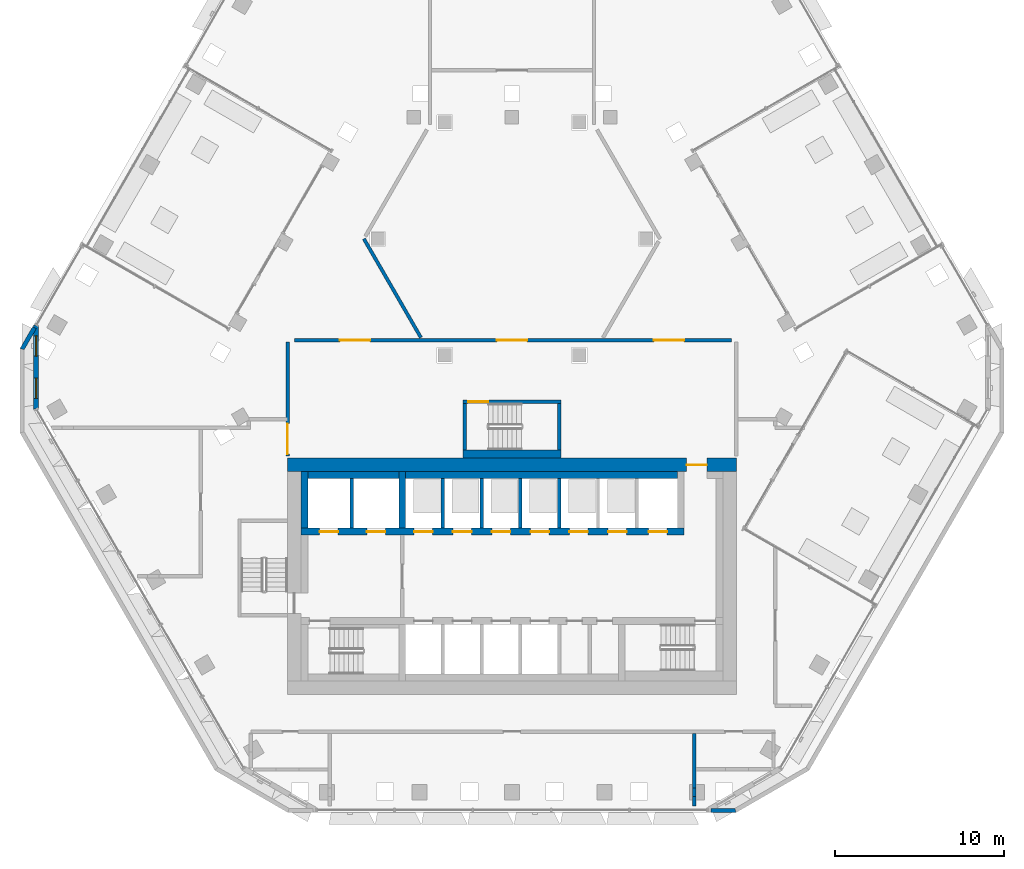
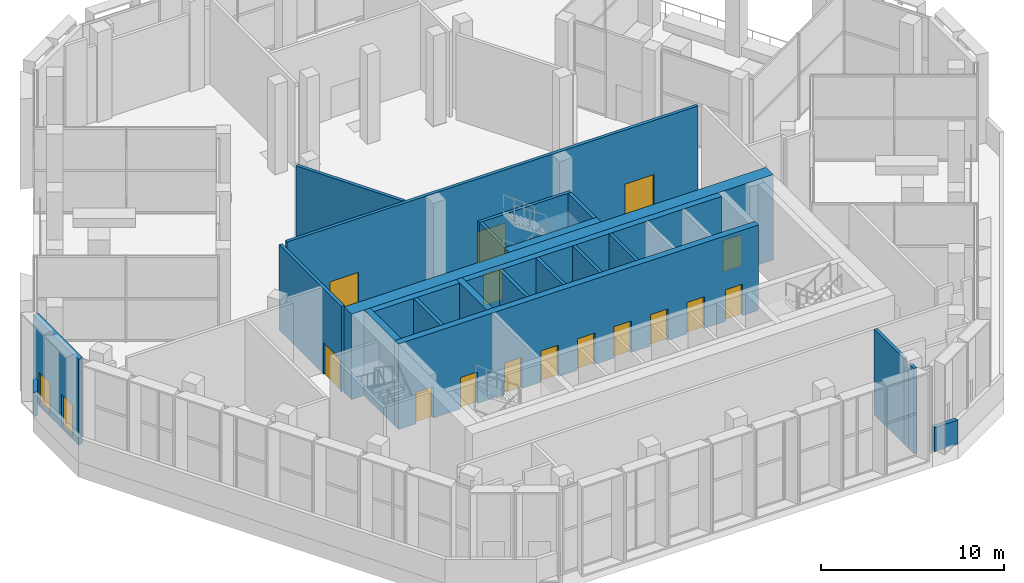
# One storey, part 12 of 27: 24 walls, 15 doors, 2 windows, 17 openings.
"""IFC4 building model written with IfcOpenShell, lengths in metres."""

from ifc_helpers import new_model, si_unit, direction, frame, frame_2d, origin, place, context, subcontext, project, spatial, polyline, rectangle, outline, extrude, material, layer, layer_set, type_object, element, fill, save


model = new_model("IFC4")

# Units and contexts
model_context = context("Model", 3, precision=1e-05, world=origin(), true_north=direction((0.0, 1.0)))
body_context = subcontext(model_context, "Body", "Model", "MODEL_VIEW")
ifc_project = project(units=[si_unit("LENGTHUNIT", "METRE"), si_unit("AREAUNIT", "SQUARE_METRE"), si_unit("VOLUMEUNIT", "CUBIC_METRE"), si_unit("PLANEANGLEUNIT", "RADIAN"), si_unit("MASSUNIT", "GRAM", prefix="KILO")], contexts=[model_context])

# Site, building, storey
site_placement = place(None, origin())
site = spatial("IfcSite", under=ifc_project, at=site_placement, CompositionType="ELEMENT")
building_placement = place(site_placement, origin())
building = spatial("IfcBuilding", under=site, at=building_placement, Name="Beryl Residences", CompositionType="ELEMENT")
storey_placement = place(building_placement, frame((0.0, 0.0, 111.60009765625)))
storey = spatial("IfcBuildingStorey", under=building, at=storey_placement, Name="L34", CompositionType="ELEMENT", Elevation=111.60009765625)

# Wall, openings, windows
ifc_material_1 = material(Name="Composite metal panel with mineral wool insulation")
ifc_layer_1 = layer(ifc_material_1, 0.300048828125)
ifc_layer_set_1 = layer_set([ifc_layer_1], Name="ES1 pale metal composite panel wall 300 mm")
wall_type_1 = type_object("IfcWallType", Name="ES1 pale metal composite panel wall 300 mm", PredefinedType="SOLIDWALL", material=ifc_layer_set_1)
wall_1_placement = place(storey_placement, frame((-28.197998046875, 2.89990234375, 0.0), z_axis=(0.0, 0.0, 1.0), x_axis=(0.0, -1.0, 0.0)))
wall_1 = element("IfcWall", 1, at=wall_1_placement, inside=storey, type_object=wall_type_1, Name="ES1 external wall L34 NW-SW", PredefinedType="SOLIDWALL", context=body_context, shape_type="SweptSolid", body=[
    extrude(outline(polyline([(0.0, -0.14990234375), (5.0, -0.14990234375), (4.919677734375, 0.14990234375), (0.080322265625, 0.14990234375), (0.0, -0.14990234375)])), origin(), (0.0, 0.0, 1.0), 5.699951171875),
])
opening_1_placement = place(wall_1_placement, frame((0.64990234375, 0.0, 0.14990234375)))
opening_1 = element("IfcOpeningElement", 2, at=opening_1_placement, cuts=wall_1, Name="Opening W2", PredefinedType="OPENING", context=body_context, shape_type="SweptSolid", body=[
    extrude(rectangle(XDim=1.199951171875, YDim=2.10009765625, at=frame_2d((0.60009765625, 1.050048828125))), frame((0.0, 0.159912109375, 0.0), z_axis=(0.0, -1.0, 0.0), x_axis=(1.0, 0.0, 0.0)), (0.0, 0.0, 1.0), 0.320068359375),
])
opening_2_placement = place(wall_1_placement, frame((3.14990234375, 0.0, 0.14990234375)))
opening_2 = element("IfcOpeningElement", 3, at=opening_2_placement, cuts=wall_1, Name="Opening W2", PredefinedType="OPENING", context=body_context, shape_type="SweptSolid", body=[
    extrude(rectangle(XDim=1.199951171875, YDim=2.10009765625, at=frame_2d((0.60009765625, 1.050048828125))), frame((0.0, 0.159912109375, 0.0), z_axis=(0.0, -1.0, 0.0), x_axis=(1.0, 0.0, 0.0)), (0.0, 0.0, 1.0), 0.320068359375),
])
ifc_material_2 = material(Name="Aluminium and clear glass", Category="aluminium")
window_type = type_object("IfcWindowType", Name="W2 chamfer window 1200 x 2100 mm", PartitioningType="SINGLE_PANEL", PredefinedType="WINDOW", material=ifc_material_2)
window_1_placement = place(opening_1_placement, origin())
window_1 = element("IfcWindow", 4, at=window_1_placement, inside=storey, type_object=window_type, Name="W2 window L34 NW-SW 1", OverallHeight=2.10009765625, OverallWidth=1.199951171875, PartitioningType="SINGLE_PANEL", PredefinedType="WINDOW", context=body_context, shape_type="SweptSolid", body=[
    extrude(rectangle(XDim=1.199951171875, YDim=2.10009765625, at=frame_2d((0.60009765625, 1.050048828125))), frame((0.0, 0.030029296875, 0.0), z_axis=(0.0, -1.0, 0.0), x_axis=(1.0, 0.0, 0.0)), (0.0, 0.0, 1.0), 0.06005859375),
])
fill(opening_1, window_1)
window_2_placement = place(opening_2_placement, origin())
window_2 = element("IfcWindow", 5, at=window_2_placement, inside=storey, type_object=window_type, Name="W2 window L34 NW-SW 2", OverallHeight=2.10009765625, OverallWidth=1.199951171875, PartitioningType="SINGLE_PANEL", PredefinedType="WINDOW", context=body_context, shape_type="SweptSolid", body=[
    extrude(rectangle(XDim=1.199951171875, YDim=2.10009765625, at=frame_2d((0.60009765625, 1.050048828125))), frame((0.0, 0.030029296875, 0.0), z_axis=(0.0, -1.0, 0.0), x_axis=(1.0, 0.0, 0.0)), (0.0, 0.0, 1.0), 0.06005859375),
])
fill(opening_2, window_2)

# Walls
ifc_material_3 = material(Name="Precast concrete C40/50", Category="concrete")
ifc_layer_2 = layer(ifc_material_3, 0.25)
ifc_layer_set_2 = layer_set([ifc_layer_2], Name="PA1 roof parapet 250 mm")
wall_type_2 = type_object("IfcWallType", Name="PA1 roof parapet 250 mm", PredefinedType="PARAPET", material=ifc_layer_set_2)
wall_2_placement = place(storey_placement, frame((-29.049072265625, 1.43798828125, 0.0), z_axis=(0.0, 0.0, 1.0), x_axis=(0.500272171574, 0.865868208418, 0.0)))
element("IfcWall", 6, at=wall_2_placement, inside=storey, type_object=wall_type_2, Name="PA1 parapet L34 strip 5", PredefinedType="PARAPET", context=body_context, shape_type="SweptSolid", body=[
    extrude(outline(polyline([(0.06689453125, -0.125), (1.499267578125, -0.125), (1.499267578125, 0.125), (0.0, 0.125), (0.06689453125, -0.125)])), origin(), (0.0, 0.0, 1.0), 1.599853515625),
])
wall_3_placement = place(storey_placement, frame((13.280029296875, -25.875, 0.0), z_axis=(0.0, 0.0, 1.0), x_axis=(-1.0, 0.0, 0.0)))
element("IfcWall", 7, at=wall_3_placement, inside=storey, type_object=wall_type_2, Name="PA1 parapet L34 strip 5", PredefinedType="PARAPET", context=body_context, shape_type="SweptSolid", body=[
    extrude(outline(polyline([(0.06689453125, -0.125), (1.4990234375, -0.125), (1.4990234375, 0.125), (0.0, 0.125), (0.06689453125, -0.125)])), origin(), (0.0, 0.0, 1.0), 1.599853515625),
])

# Wall, openings, doors
ifc_material_4 = material(Name="Double stud gypsum board wall")
ifc_layer_3 = layer(ifc_material_4, 0.199951171875)
ifc_layer_set_3 = layer_set([ifc_layer_3], Name="PT4 corridor wall 200 mm double stud")
wall_type_3 = type_object("IfcWallType", Name="PT4 corridor wall 200 mm double stud", PredefinedType="PARTITIONING", material=ifc_layer_set_3)
wall_4_placement = place(storey_placement, frame((-12.89990234375, 2.0, 0.0), z_axis=(0.0, 0.0, 1.0), x_axis=(1.0, 0.0, 0.0)))
wall_4 = element("IfcWall", 8, at=wall_4_placement, inside=storey, type_object=wall_type_3, Name="Wall PT4 L34 014", PredefinedType="PARTITIONING", context=body_context, shape_type="SweptSolid", body=[
    extrude(rectangle(XDim=25.89990234375, YDim=0.199951171875, at=frame_2d((12.949951171875, 0.0))), origin(), (0.0, 0.0, 1.0), 5.699951171875),
])
opening_3_placement = place(wall_4_placement, frame((2.696044921875, 0.0, 0.0)))
opening_3 = element("IfcOpeningElement", 9, at=opening_3_placement, cuts=wall_4, Name="Opening L34-01", PredefinedType="OPENING", context=body_context, shape_type="SweptSolid", body=[
    extrude(rectangle(XDim=1.800048828125, YDim=2.10009765625, at=frame_2d((0.89990234375, 1.050048828125))), frame((0.0, 0.10986328125, 0.0), z_axis=(0.0, -1.0, 0.0), x_axis=(1.0, 0.0, 0.0)), (0.0, 0.0, 1.0), 0.219970703125),
])
opening_4_placement = place(wall_4_placement, frame((21.303955078125, 0.0, 0.0)))
opening_4 = element("IfcOpeningElement", 10, at=opening_4_placement, cuts=wall_4, Name="Opening L34-02", PredefinedType="OPENING", context=body_context, shape_type="SweptSolid", body=[
    extrude(rectangle(XDim=1.800048828125, YDim=2.10009765625, at=frame_2d((0.89990234375, 1.050048828125))), frame((0.0, 0.10986328125, 0.0), z_axis=(0.0, -1.0, 0.0), x_axis=(1.0, 0.0, 0.0)), (0.0, 0.0, 1.0), 0.219970703125),
])
opening_5_placement = place(wall_4_placement, frame((12.0, 0.0, 0.0)))
opening_5 = element("IfcOpeningElement", 11, at=opening_5_placement, cuts=wall_4, Name="Opening L34-09", PredefinedType="OPENING", context=body_context, shape_type="SweptSolid", body=[
    extrude(rectangle(XDim=1.800048828125, YDim=2.10009765625, at=frame_2d((0.89990234375, 1.050048828125))), frame((0.0, 0.10986328125, 0.0), z_axis=(0.0, -1.0, 0.0), x_axis=(1.0, 0.0, 0.0)), (0.0, 0.0, 1.0), 0.219970703125),
])
ifc_material_5 = material(Name="Timber door leaf", Category="wood")
door_type_1 = type_object("IfcDoorType", Name="D20 corridor door 1800 x 2100 mm", OperationType="DOUBLE_DOOR_SINGLE_SWING", PredefinedType="DOOR", material=ifc_material_5)
door_1_placement = place(opening_3_placement, origin())
door_1 = element("IfcDoor", 12, at=door_1_placement, inside=storey, type_object=door_type_1, Name="Door L34-01 L34 001", OperationType="DOUBLE_DOOR_SINGLE_SWING", OverallHeight=2.10009765625, OverallWidth=1.800048828125, PredefinedType="DOOR", context=body_context, shape_type="SweptSolid", body=[
    extrude(rectangle(XDim=1.800048828125, YDim=2.10009765625, at=frame_2d((0.89990234375, 1.050048828125))), frame((0.0, 0.02490234375, 0.0), z_axis=(0.0, -1.0, 0.0), x_axis=(1.0, 0.0, 0.0)), (0.0, 0.0, 1.0), 0.050048828125),
])
fill(opening_3, door_1)
door_2_placement = place(opening_4_placement, origin())
door_2 = element("IfcDoor", 13, at=door_2_placement, inside=storey, type_object=door_type_1, Name="Door L34-02 L34 001", OperationType="DOUBLE_DOOR_SINGLE_SWING", OverallHeight=2.10009765625, OverallWidth=1.800048828125, PredefinedType="DOOR", context=body_context, shape_type="SweptSolid", body=[
    extrude(rectangle(XDim=1.800048828125, YDim=2.10009765625, at=frame_2d((0.89990234375, 1.050048828125))), frame((0.0, 0.02490234375, 0.0), z_axis=(0.0, -1.0, 0.0), x_axis=(1.0, 0.0, 0.0)), (0.0, 0.0, 1.0), 0.050048828125),
])
fill(opening_4, door_2)
door_3_placement = place(opening_5_placement, origin())
door_3 = element("IfcDoor", 14, at=door_3_placement, inside=storey, type_object=door_type_1, Name="Door L34-09 L34 001", OperationType="DOUBLE_DOOR_SINGLE_SWING", OverallHeight=2.10009765625, OverallWidth=1.800048828125, PredefinedType="DOOR", context=body_context, shape_type="SweptSolid", body=[
    extrude(rectangle(XDim=1.800048828125, YDim=2.10009765625, at=frame_2d((0.89990234375, 1.050048828125))), frame((0.0, 0.02490234375, 0.0), z_axis=(0.0, -1.0, 0.0), x_axis=(1.0, 0.0, 0.0)), (0.0, 0.0, 1.0), 0.050048828125),
])
fill(opening_5, door_3)

# Wall, opening, door
wall_5_placement = place(storey_placement, frame((-13.300048828125, -4.8798828125, 0.0), z_axis=(0.0, 0.0, 1.0), x_axis=(0.0, 1.0, 0.0)))
wall_5 = element("IfcWall", 15, at=wall_5_placement, inside=storey, type_object=wall_type_3, Name="Wall PT4 L34 028", PredefinedType="PARTITIONING", context=body_context, shape_type="SweptSolid", body=[
    extrude(rectangle(XDim=6.77978515625, YDim=0.199951171875, at=frame_2d((3.389892578125, 0.0))), origin(), (0.0, 0.0, 1.0), 5.699951171875),
])
opening_6_placement = place(wall_5_placement, frame((0.1279296875, 0.0, 0.0)))
opening_6 = element("IfcOpeningElement", 16, at=opening_6_placement, cuts=wall_5, Name="Opening L34-10", PredefinedType="OPENING", context=body_context, shape_type="SweptSolid", body=[
    extrude(rectangle(XDim=1.800048828125, YDim=2.10009765625, at=frame_2d((0.89990234375, 1.050048828125))), frame((0.0, 0.10986328125, 0.0), z_axis=(0.0, -1.0, 0.0), x_axis=(1.0, 0.0, 0.0)), (0.0, 0.0, 1.0), 0.219970703125),
])
door_4_placement = place(opening_6_placement, origin())
door_4 = element("IfcDoor", 17, at=door_4_placement, inside=storey, type_object=door_type_1, Name="Door L34-10 L34 001", OperationType="DOUBLE_DOOR_SINGLE_SWING", OverallHeight=2.10009765625, OverallWidth=1.800048828125, PredefinedType="DOOR", context=body_context, shape_type="SweptSolid", body=[
    extrude(rectangle(XDim=1.800048828125, YDim=2.10009765625, at=frame_2d((0.89990234375, 1.050048828125))), frame((0.0, 0.02490234375, 0.0), z_axis=(0.0, -1.0, 0.0), x_axis=(1.0, 0.0, 0.0)), (0.0, 0.0, 1.0), 0.050048828125),
])
fill(opening_6, door_4)

# Walls
wall_6_placement = place(storey_placement, frame((10.800048828125, -25.6201171875, 0.0), z_axis=(0.0, 0.0, 1.0), x_axis=(0.0, 1.0, 0.0)))
element("IfcWall", 18, at=wall_6_placement, inside=storey, type_object=wall_type_3, Name="Wall PT4 L34 036", PredefinedType="PARTITIONING", context=body_context, shape_type="SweptSolid", body=[
    extrude(rectangle(XDim=0.570068359375, YDim=0.199951171875, at=frame_2d((0.28515625, 0.0))), origin(), (0.0, 0.0, 1.0), 5.699951171875),
])
wall_7_placement = place(storey_placement, frame((10.800048828125, -25.050048828125, 0.0), z_axis=(0.0, 0.0, 1.0), x_axis=(0.0, 1.0, 0.0)))
element("IfcWall", 19, at=wall_7_placement, inside=storey, type_object=wall_type_3, Name="Wall PT4 L34 037", PredefinedType="PARTITIONING", context=body_context, shape_type="SweptSolid", body=[
    extrude(rectangle(XDim=0.5, YDim=0.199951171875, at=frame_2d((0.25, 0.0))), origin(), (0.0, 0.0, 1.0), 5.06982421875),
])
wall_8_placement = place(storey_placement, frame((10.800048828125, -24.550048828125, 0.0), z_axis=(0.0, 0.0, 1.0), x_axis=(0.0, 1.0, 0.0)))
element("IfcWall", 20, at=wall_8_placement, inside=storey, type_object=wall_type_3, Name="Wall PT4 L34 038", PredefinedType="PARTITIONING", context=body_context, shape_type="SweptSolid", body=[
    extrude(rectangle(XDim=3.25, YDim=0.199951171875, at=frame_2d((1.625, 0.0))), origin(), (0.0, 0.0, 1.0), 5.699951171875),
])
wall_9_placement = place(storey_placement, frame((-8.77587890625, 8.0, 0.0), z_axis=(0.0, 0.0, 1.0), x_axis=(0.500024767483, -0.866011103799, 0.0)))
element("IfcWall", 21, at=wall_9_placement, inside=storey, type_object=wall_type_3, Name="Wall PT4 L34 044", PredefinedType="PARTITIONING", context=body_context, shape_type="SweptSolid", body=[
    extrude(rectangle(XDim=6.757568359375, YDim=0.199951171875, at=frame_2d((3.37890625, 0.0))), origin(), (0.0, 0.0, 1.0), 5.699951171875),
])

# Wall, opening, door
ifc_material_6 = material(Name="Concrete C40/50", Category="concrete")
ifc_layer_4 = layer(ifc_material_6, 0.199951171875)
ifc_layer_set_4 = layer_set([ifc_layer_4], Name="PT5 stair enclosure wall 200 mm reinforced concrete C40/50")
wall_type_4 = type_object("IfcWallType", Name="PT5 stair enclosure wall 200 mm reinforced concrete C40/50", PredefinedType="SOLIDWALL", material=ifc_layer_set_4)
wall_10_placement = place(storey_placement, frame((-2.89990234375, -1.64990234375, 0.0), z_axis=(0.0, 0.0, 1.0), x_axis=(1.0, 0.0, 0.0)))
wall_10 = element("IfcWall", 22, at=wall_10_placement, inside=storey, type_object=wall_type_4, Name="Wall PT5 L34 001", PredefinedType="SOLIDWALL", context=body_context, shape_type="SweptSolid", body=[
    extrude(rectangle(XDim=5.7998046875, YDim=0.199951171875, at=frame_2d((2.89990234375, 0.0))), origin(), (0.0, 0.0, 1.0), 5.699951171875),
])
opening_7_placement = place(wall_10_placement, frame((0.300048828125, 0.0, 0.0)))
opening_7 = element("IfcOpeningElement", 23, at=opening_7_placement, cuts=wall_10, Name="Opening DS04", PredefinedType="OPENING", context=body_context, shape_type="SweptSolid", body=[
    extrude(rectangle(XDim=1.199951171875, YDim=2.10009765625, at=frame_2d((0.60009765625, 1.050048828125))), frame((0.0, 0.10986328125, 0.0), z_axis=(0.0, -1.0, 0.0), x_axis=(1.0, 0.0, 0.0)), (0.0, 0.0, 1.0), 0.219970703125),
])
ifc_material_7 = material(Name="Steel door leaf in steel frame", Category="steel")
door_type_2 = type_object("IfcDoorType", Name="D4 stair door 1200 x 2100 mm", OperationType="SINGLE_SWING_LEFT", PredefinedType="DOOR", material=ifc_material_7)
door_5_placement = place(opening_7_placement, origin())
door_5 = element("IfcDoor", 24, at=door_5_placement, inside=storey, type_object=door_type_2, Name="Door DS04 L34 001", OperationType="SINGLE_SWING_LEFT", OverallHeight=2.10009765625, OverallWidth=1.199951171875, PredefinedType="DOOR", context=body_context, shape_type="SweptSolid", body=[
    extrude(rectangle(XDim=1.199951171875, YDim=2.10009765625, at=frame_2d((0.60009765625, 1.050048828125))), frame((0.0, 0.02490234375, 0.0), z_axis=(0.0, -1.0, 0.0), x_axis=(1.0, 0.0, 0.0)), (0.0, 0.0, 1.0), 0.050048828125),
])
fill(opening_7, door_5)

# Walls
for number, where, z_axis, x_axis, name in (
    (25, (-2.800048828125, -4.5, 0.0), (0.0, 0.0, 1.0), (0.0, 1.0, 0.0), "Wall PT5 L34 002"),
    (26, (2.800048828125, -4.5, 0.0), (0.0, 0.0, 1.0), (0.0, 1.0, 0.0), "Wall PT5 L34 003"),
):
    element("IfcWall", number, at=place(storey_placement, frame(where, z_axis=z_axis, x_axis=x_axis)), inside=storey, type_object=wall_type_4, Name=name, PredefinedType="SOLIDWALL", context=body_context, shape_type="SweptSolid", body=[
        extrude(rectangle(XDim=2.75, YDim=0.199951171875, at=frame_2d((1.375, 0.0))), origin(), (0.0, 0.0, 1.0), 5.699951171875),
    ])
ifc_material_8 = material(Name="Concrete C40/50", Category="concrete")
ifc_layer_5 = layer(ifc_material_8, 0.5)
ifc_layer_set_5 = layer_set([ifc_layer_5], Name="PT5-500 stair enclosure wall 500 mm")
wall_type_5 = type_object("IfcWallType", Name="PT5-500 stair enclosure wall 500 mm", PredefinedType="SOLIDWALL", material=ifc_layer_set_5)
wall_11_placement = place(storey_placement, frame((-2.89990234375, -4.75, 0.0), z_axis=(0.0, 0.0, 1.0), x_axis=(1.0, 0.0, 0.0)))
element("IfcWall", 27, at=wall_11_placement, inside=storey, type_object=wall_type_5, Name="Wall PT5-500 L34 001", PredefinedType="SOLIDWALL", context=body_context, shape_type="SweptSolid", body=[
    extrude(rectangle(XDim=5.7998046875, YDim=0.5, at=frame_2d((2.89990234375, 0.0))), origin(), (0.0, 0.0, 1.0), 5.699951171875),
])
ifc_material_9 = material(Name="Concrete C40/50", Category="concrete")
ifc_layer_6 = layer(ifc_material_9, 0.199951171875)
ifc_layer_set_6 = layer_set([ifc_layer_6], Name="PT6 lift shaft wall 200 mm reinforced concrete C40/50")
wall_type_6 = type_object("IfcWallType", Name="PT6 lift shaft wall 200 mm reinforced concrete C40/50", PredefinedType="SOLIDWALL", material=ifc_layer_set_6)
for number, where, z_axis, x_axis, name in (
    (28, (-9.5, -9.14990234375, 0.0), (0.0, 0.0, 1.0), (0.0, 1.0, 0.0), "Lift shaft wall 10"),
    (29, (-4.10009765625, -9.14990234375, 0.0), (0.0, 0.0, 1.0), (0.0, 1.0, 0.0), "Lift shaft wall 15"),
    (30, (-1.800048828125, -9.14990234375, 0.0), (0.0, 0.0, 1.0), (0.0, 1.0, 0.0), "Lift shaft wall 17"),
    (31, (0.5, -9.14990234375, 0.0), (0.0, 0.0, 1.0), (0.0, 1.0, 0.0), "Lift shaft wall 19"),
    (32, (2.800048828125, -9.14990234375, 0.0), (0.0, 0.0, 1.0), (0.0, 1.0, 0.0), "Lift shaft wall 21"),
):
    element("IfcWall", number, at=place(storey_placement, frame(where, z_axis=z_axis, x_axis=x_axis)), inside=storey, type_object=wall_type_6, Name=name, PredefinedType="SOLIDWALL", context=body_context, shape_type="SweptSolid", body=[
        extrude(rectangle(XDim=2.949951171875, YDim=0.199951171875, at=frame_2d((1.47509765625, 0.0))), origin(), (0.0, 0.0, 1.0), 5.699951171875),
    ])
ifc_material_10 = material(Name="Concrete C40/50", Category="concrete")
ifc_layer_7 = layer(ifc_material_10, 0.39990234375)
ifc_layer_set_7 = layer_set([ifc_layer_7], Name="PT6-400 lift shaft wall 400 mm")
wall_type_7 = type_object("IfcWallType", Name="PT6-400 lift shaft wall 400 mm", PredefinedType="SOLIDWALL", material=ifc_layer_set_7)
wall_12_placement = place(storey_placement, frame((-12.300048828125, -9.14990234375, 0.0), z_axis=(0.0, 0.0, 1.0), x_axis=(0.0, 1.0, 0.0)))
element("IfcWall", 33, at=wall_12_placement, inside=storey, type_object=wall_type_7, Name="Lift shaft wall 06", PredefinedType="SOLIDWALL", context=body_context, shape_type="SweptSolid", body=[
    extrude(rectangle(XDim=3.349853515625, YDim=0.39990234375, at=frame_2d((1.6748046875, 0.0))), origin(), (0.0, 0.0, 1.0), 5.699951171875),
])
wall_13_placement = place(storey_placement, frame((-12.10009765625, -6.0, 0.0), z_axis=(0.0, 0.0, 1.0), x_axis=(1.0, 0.0, 0.0)))
element("IfcWall", 34, at=wall_13_placement, inside=storey, type_object=wall_type_7, Name="Lift shaft wall 08", PredefinedType="SOLIDWALL", context=body_context, shape_type="SweptSolid", body=[
    extrude(rectangle(XDim=5.400146484375, YDim=0.39990234375, at=frame_2d((2.7001953125, 0.0))), origin(), (0.0, 0.0, 1.0), 5.699951171875),
])
wall_14_placement = place(storey_placement, frame((-6.300048828125, -6.0, 0.0), z_axis=(0.0, 0.0, 1.0), x_axis=(1.0, 0.0, 0.0)))
element("IfcWall", 35, at=wall_14_placement, inside=storey, type_object=wall_type_7, Name="Lift shaft wall 13", PredefinedType="SOLIDWALL", context=body_context, shape_type="SweptSolid", body=[
    extrude(rectangle(XDim=16.10009765625, YDim=0.39990234375, at=frame_2d((8.050048828125, 0.0))), origin(), (0.0, 0.0, 1.0), 5.699951171875),
])

# Wall, opening, door
ifc_material_11 = material(Name="Concrete C60/75", Category="concrete")
ifc_layer_8 = layer(ifc_material_11, 0.800048828125)
ifc_layer_set_8 = layer_set([ifc_layer_8], Name="SW3 core outer wall 800 mm C60/75")
wall_type_8 = type_object("IfcWallType", Name="SW3 core outer wall 800 mm C60/75", PredefinedType="SHEAR", material=ifc_layer_set_8)
wall_15_placement = place(storey_placement, frame((-13.300048828125, -5.39990234375, 0.0), z_axis=(0.0, 0.0, 1.0), x_axis=(1.0, 0.0, 0.0)))
wall_15 = element("IfcWall", 36, at=wall_15_placement, inside=storey, type_object=wall_type_8, Name="Core wall N L34", PredefinedType="SHEAR", context=body_context, shape_type="SweptSolid", body=[
    extrude(rectangle(XDim=26.60009765625, YDim=0.800048828125, at=frame_2d((13.300048828125, 0.0))), origin(), (0.0, 0.0, 1.0), 5.699951171875),
])
opening_8_placement = place(wall_15_placement, frame((23.64990234375, 0.0, 0.0)))
opening_8 = element("IfcOpeningElement", 37, at=opening_8_placement, cuts=wall_15, Name="Opening FD-NORTH", PredefinedType="OPENING", context=body_context, shape_type="SweptSolid", body=[
    extrude(rectangle(XDim=1.199951171875, YDim=2.10009765625, at=frame_2d((0.60009765625, 1.050048828125))), frame((0.0, 0.409912109375, 0.0), z_axis=(0.0, -1.0, 0.0), x_axis=(1.0, 0.0, 0.0)), (0.0, 0.0, 1.0), 0.820068359375),
])
ifc_material_12 = material(Name="Steel door leaf in steel frame", Category="steel")
door_type_3 = type_object("IfcDoorType", Name="D22 lobby door 1200 x 2100 mm", OperationType="DOUBLE_DOOR_SINGLE_SWING", PredefinedType="DOOR", material=ifc_material_12)
door_6_placement = place(opening_8_placement, origin())
door_6 = element("IfcDoor", 38, at=door_6_placement, inside=storey, type_object=door_type_3, Name="Door FD-NORTH L34 001", OperationType="DOUBLE_DOOR_SINGLE_SWING", OverallHeight=2.10009765625, OverallWidth=1.199951171875, PredefinedType="DOOR", context=body_context, shape_type="SweptSolid", body=[
    extrude(rectangle(XDim=1.199951171875, YDim=2.10009765625, at=frame_2d((0.60009765625, 1.050048828125))), frame((0.0, 0.02490234375, 0.0), z_axis=(0.0, -1.0, 0.0), x_axis=(1.0, 0.0, 0.0)), (0.0, 0.0, 1.0), 0.050048828125),
])
fill(opening_8, door_6)

# Wall, openings, doors
ifc_material_13 = material(Name="Concrete C60/75", Category="concrete")
ifc_layer_9 = layer(ifc_material_13, 0.39990234375)
ifc_layer_set_9 = layer_set([ifc_layer_9], Name="SW8 core internal wall 400 mm C60/75")
wall_type_9 = type_object("IfcWallType", Name="SW8 core internal wall 400 mm C60/75", PredefinedType="SHEAR", material=ifc_layer_set_9)
wall_16_placement = place(storey_placement, frame((-12.5, -9.35009765625, 0.0), z_axis=(0.0, 0.0, 1.0), x_axis=(1.0, 0.0, 0.0)))
wall_16 = element("IfcWall", 39, at=wall_16_placement, inside=storey, type_object=wall_type_9, Name="Core wall SP2 L34", PredefinedType="SHEAR", context=body_context, shape_type="SweptSolid", body=[
    extrude(rectangle(XDim=22.699951171875, YDim=0.39990234375, at=frame_2d((11.35009765625, 0.0))), origin(), (0.0, 0.0, 1.0), 5.699951171875),
])
opening_9_placement = place(wall_16_placement, frame((1.10009765625, 0.0, 0.0)))
opening_9 = element("IfcOpeningElement", 40, at=opening_9_placement, cuts=wall_16, Name="Opening LD-FF1", PredefinedType="OPENING", context=body_context, shape_type="SweptSolid", body=[
    extrude(rectangle(XDim=1.10009765625, YDim=2.10009765625, at=frame_2d((0.550048828125, 1.050048828125))), frame((0.0, 0.2099609375, 0.0), z_axis=(0.0, -1.0, 0.0), x_axis=(1.0, 0.0, 0.0)), (0.0, 0.0, 1.0), 0.419921875),
])
opening_10_placement = place(wall_16_placement, frame((3.89990234375, 0.0, 0.0)))
opening_10 = element("IfcOpeningElement", 41, at=opening_10_placement, cuts=wall_16, Name="Opening LD-FF2", PredefinedType="OPENING", context=body_context, shape_type="SweptSolid", body=[
    extrude(rectangle(XDim=1.10009765625, YDim=2.10009765625, at=frame_2d((0.550048828125, 1.050048828125))), frame((0.0, 0.2099609375, 0.0), z_axis=(0.0, -1.0, 0.0), x_axis=(1.0, 0.0, 0.0)), (0.0, 0.0, 1.0), 0.419921875),
])
opening_11_placement = place(wall_16_placement, frame((6.699951171875, 0.0, 0.0)))
opening_11 = element("IfcOpeningElement", 42, at=opening_11_placement, cuts=wall_16, Name="Opening LD-HR1", PredefinedType="OPENING", context=body_context, shape_type="SweptSolid", body=[
    extrude(rectangle(XDim=1.10009765625, YDim=2.10009765625, at=frame_2d((0.550048828125, 1.050048828125))), frame((0.0, 0.2099609375, 0.0), z_axis=(0.0, -1.0, 0.0), x_axis=(1.0, 0.0, 0.0)), (0.0, 0.0, 1.0), 0.419921875),
])
opening_12_placement = place(wall_16_placement, frame((9.0, 0.0, 0.0)))
opening_12 = element("IfcOpeningElement", 43, at=opening_12_placement, cuts=wall_16, Name="Opening LD-HR2", PredefinedType="OPENING", context=body_context, shape_type="SweptSolid", body=[
    extrude(rectangle(XDim=1.10009765625, YDim=2.10009765625, at=frame_2d((0.550048828125, 1.050048828125))), frame((0.0, 0.2099609375, 0.0), z_axis=(0.0, -1.0, 0.0), x_axis=(1.0, 0.0, 0.0)), (0.0, 0.0, 1.0), 0.419921875),
])
opening_13_placement = place(wall_16_placement, frame((11.300048828125, 0.0, 0.0)))
opening_13 = element("IfcOpeningElement", 44, at=opening_13_placement, cuts=wall_16, Name="Opening LD-HR3", PredefinedType="OPENING", context=body_context, shape_type="SweptSolid", body=[
    extrude(rectangle(XDim=1.10009765625, YDim=2.10009765625, at=frame_2d((0.550048828125, 1.050048828125))), frame((0.0, 0.2099609375, 0.0), z_axis=(0.0, -1.0, 0.0), x_axis=(1.0, 0.0, 0.0)), (0.0, 0.0, 1.0), 0.419921875),
])
opening_14_placement = place(wall_16_placement, frame((13.60009765625, 0.0, 0.0)))
opening_14 = element("IfcOpeningElement", 45, at=opening_14_placement, cuts=wall_16, Name="Opening LD-HR4", PredefinedType="OPENING", context=body_context, shape_type="SweptSolid", body=[
    extrude(rectangle(XDim=1.10009765625, YDim=2.10009765625, at=frame_2d((0.550048828125, 1.050048828125))), frame((0.0, 0.2099609375, 0.0), z_axis=(0.0, -1.0, 0.0), x_axis=(1.0, 0.0, 0.0)), (0.0, 0.0, 1.0), 0.419921875),
])
opening_15_placement = place(wall_16_placement, frame((15.89990234375, 0.0, 0.0)))
opening_15 = element("IfcOpeningElement", 46, at=opening_15_placement, cuts=wall_16, Name="Opening LD-HR5", PredefinedType="OPENING", context=body_context, shape_type="SweptSolid", body=[
    extrude(rectangle(XDim=1.10009765625, YDim=2.10009765625, at=frame_2d((0.550048828125, 1.050048828125))), frame((0.0, 0.2099609375, 0.0), z_axis=(0.0, -1.0, 0.0), x_axis=(1.0, 0.0, 0.0)), (0.0, 0.0, 1.0), 0.419921875),
])
opening_16_placement = place(wall_16_placement, frame((18.199951171875, 0.0, 0.0)))
opening_16 = element("IfcOpeningElement", 47, at=opening_16_placement, cuts=wall_16, Name="Opening LD-HR6", PredefinedType="OPENING", context=body_context, shape_type="SweptSolid", body=[
    extrude(rectangle(XDim=1.10009765625, YDim=2.10009765625, at=frame_2d((0.550048828125, 1.050048828125))), frame((0.0, 0.2099609375, 0.0), z_axis=(0.0, -1.0, 0.0), x_axis=(1.0, 0.0, 0.0)), (0.0, 0.0, 1.0), 0.419921875),
])
opening_17_placement = place(wall_16_placement, frame((20.60009765625, 0.0, 0.0)))
opening_17 = element("IfcOpeningElement", 48, at=opening_17_placement, cuts=wall_16, Name="Opening LD-SL1", PredefinedType="OPENING", context=body_context, shape_type="SweptSolid", body=[
    extrude(rectangle(XDim=1.10009765625, YDim=2.10009765625, at=frame_2d((0.550048828125, 1.050048828125))), frame((0.0, 0.2099609375, 0.0), z_axis=(0.0, -1.0, 0.0), x_axis=(1.0, 0.0, 0.0)), (0.0, 0.0, 1.0), 0.419921875),
])
ifc_material_14 = material(Name="Stainless steel sliding door", Category="steel")
door_type_4 = type_object("IfcDoorType", Name="LD1 lift landing door 1100 x 2100 mm", OperationType="DOUBLE_DOOR_SLIDING", PredefinedType="DOOR", material=ifc_material_14)
door_7_placement = place(opening_9_placement, origin())
door_7 = element("IfcDoor", 49, at=door_7_placement, inside=storey, type_object=door_type_4, Name="Lift landing door FF1", OperationType="DOUBLE_DOOR_SLIDING", OverallHeight=2.10009765625, OverallWidth=1.10009765625, PredefinedType="DOOR", context=body_context, shape_type="SweptSolid", body=[
    extrude(rectangle(XDim=1.10009765625, YDim=2.10009765625, at=frame_2d((0.550048828125, 1.050048828125))), frame((0.0, 0.02490234375, 0.0), z_axis=(0.0, -1.0, 0.0), x_axis=(1.0, 0.0, 0.0)), (0.0, 0.0, 1.0), 0.050048828125),
])
fill(opening_9, door_7)
door_8_placement = place(opening_10_placement, origin())
door_8 = element("IfcDoor", 50, at=door_8_placement, inside=storey, type_object=door_type_4, Name="Lift landing door FF2", OperationType="DOUBLE_DOOR_SLIDING", OverallHeight=2.10009765625, OverallWidth=1.10009765625, PredefinedType="DOOR", context=body_context, shape_type="SweptSolid", body=[
    extrude(rectangle(XDim=1.10009765625, YDim=2.10009765625, at=frame_2d((0.550048828125, 1.050048828125))), frame((0.0, 0.02490234375, 0.0), z_axis=(0.0, -1.0, 0.0), x_axis=(1.0, 0.0, 0.0)), (0.0, 0.0, 1.0), 0.050048828125),
])
fill(opening_10, door_8)
door_9_placement = place(opening_11_placement, origin())
door_9 = element("IfcDoor", 51, at=door_9_placement, inside=storey, type_object=door_type_4, Name="Lift landing door HR1", OperationType="DOUBLE_DOOR_SLIDING", OverallHeight=2.10009765625, OverallWidth=1.10009765625, PredefinedType="DOOR", context=body_context, shape_type="SweptSolid", body=[
    extrude(rectangle(XDim=1.10009765625, YDim=2.10009765625, at=frame_2d((0.550048828125, 1.050048828125))), frame((0.0, 0.02490234375, 0.0), z_axis=(0.0, -1.0, 0.0), x_axis=(1.0, 0.0, 0.0)), (0.0, 0.0, 1.0), 0.050048828125),
])
fill(opening_11, door_9)
door_10_placement = place(opening_12_placement, origin())
door_10 = element("IfcDoor", 52, at=door_10_placement, inside=storey, type_object=door_type_4, Name="Lift landing door HR2", OperationType="DOUBLE_DOOR_SLIDING", OverallHeight=2.10009765625, OverallWidth=1.10009765625, PredefinedType="DOOR", context=body_context, shape_type="SweptSolid", body=[
    extrude(rectangle(XDim=1.10009765625, YDim=2.10009765625, at=frame_2d((0.550048828125, 1.050048828125))), frame((0.0, 0.02490234375, 0.0), z_axis=(0.0, -1.0, 0.0), x_axis=(1.0, 0.0, 0.0)), (0.0, 0.0, 1.0), 0.050048828125),
])
fill(opening_12, door_10)
door_11_placement = place(opening_13_placement, origin())
door_11 = element("IfcDoor", 53, at=door_11_placement, inside=storey, type_object=door_type_4, Name="Lift landing door HR3", OperationType="DOUBLE_DOOR_SLIDING", OverallHeight=2.10009765625, OverallWidth=1.10009765625, PredefinedType="DOOR", context=body_context, shape_type="SweptSolid", body=[
    extrude(rectangle(XDim=1.10009765625, YDim=2.10009765625, at=frame_2d((0.550048828125, 1.050048828125))), frame((0.0, 0.02490234375, 0.0), z_axis=(0.0, -1.0, 0.0), x_axis=(1.0, 0.0, 0.0)), (0.0, 0.0, 1.0), 0.050048828125),
])
fill(opening_13, door_11)
door_12_placement = place(opening_14_placement, origin())
door_12 = element("IfcDoor", 54, at=door_12_placement, inside=storey, type_object=door_type_4, Name="Lift landing door HR4", OperationType="DOUBLE_DOOR_SLIDING", OverallHeight=2.10009765625, OverallWidth=1.10009765625, PredefinedType="DOOR", context=body_context, shape_type="SweptSolid", body=[
    extrude(rectangle(XDim=1.10009765625, YDim=2.10009765625, at=frame_2d((0.550048828125, 1.050048828125))), frame((0.0, 0.02490234375, 0.0), z_axis=(0.0, -1.0, 0.0), x_axis=(1.0, 0.0, 0.0)), (0.0, 0.0, 1.0), 0.050048828125),
])
fill(opening_14, door_12)
door_13_placement = place(opening_15_placement, origin())
door_13 = element("IfcDoor", 55, at=door_13_placement, inside=storey, type_object=door_type_4, Name="Lift landing door HR5", OperationType="DOUBLE_DOOR_SLIDING", OverallHeight=2.10009765625, OverallWidth=1.10009765625, PredefinedType="DOOR", context=body_context, shape_type="SweptSolid", body=[
    extrude(rectangle(XDim=1.10009765625, YDim=2.10009765625, at=frame_2d((0.550048828125, 1.050048828125))), frame((0.0, 0.02490234375, 0.0), z_axis=(0.0, -1.0, 0.0), x_axis=(1.0, 0.0, 0.0)), (0.0, 0.0, 1.0), 0.050048828125),
])
fill(opening_15, door_13)
door_14_placement = place(opening_16_placement, origin())
door_14 = element("IfcDoor", 56, at=door_14_placement, inside=storey, type_object=door_type_4, Name="Lift landing door HR6", OperationType="DOUBLE_DOOR_SLIDING", OverallHeight=2.10009765625, OverallWidth=1.10009765625, PredefinedType="DOOR", context=body_context, shape_type="SweptSolid", body=[
    extrude(rectangle(XDim=1.10009765625, YDim=2.10009765625, at=frame_2d((0.550048828125, 1.050048828125))), frame((0.0, 0.02490234375, 0.0), z_axis=(0.0, -1.0, 0.0), x_axis=(1.0, 0.0, 0.0)), (0.0, 0.0, 1.0), 0.050048828125),
])
fill(opening_16, door_14)
door_15_placement = place(opening_17_placement, origin())
door_15 = element("IfcDoor", 57, at=door_15_placement, inside=storey, type_object=door_type_4, Name="Lift landing door SL1", OperationType="DOUBLE_DOOR_SLIDING", OverallHeight=2.10009765625, OverallWidth=1.10009765625, PredefinedType="DOOR", context=body_context, shape_type="SweptSolid", body=[
    extrude(rectangle(XDim=1.10009765625, YDim=2.10009765625, at=frame_2d((0.550048828125, 1.050048828125))), frame((0.0, 0.02490234375, 0.0), z_axis=(0.0, -1.0, 0.0), x_axis=(1.0, 0.0, 0.0)), (0.0, 0.0, 1.0), 0.050048828125),
])
fill(opening_17, door_15)

# Wall
wall_17_placement = place(storey_placement, frame((-6.5, -9.14990234375, 0.0), z_axis=(0.0, 0.0, 1.0), x_axis=(0.0, 1.0, 0.0)))
element("IfcWall", 58, at=wall_17_placement, inside=storey, type_object=wall_type_9, Name="Core wall XN1 L34", PredefinedType="SHEAR", context=body_context, shape_type="SweptSolid", body=[
    extrude(rectangle(XDim=3.349853515625, YDim=0.39990234375, at=frame_2d((1.6748046875, 0.0))), origin(), (0.0, 0.0, 1.0), 5.699951171875),
])

save(model, "model.ifc")
